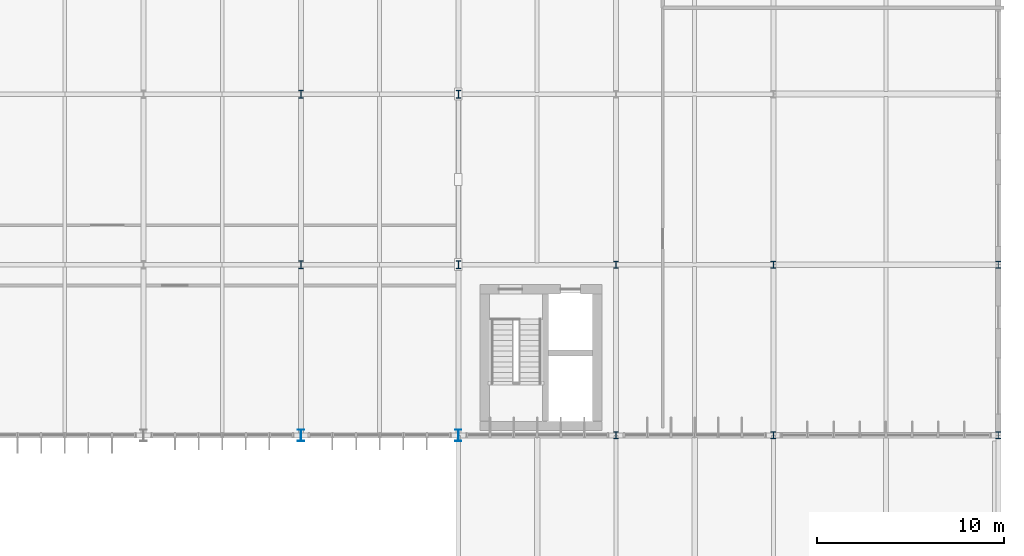
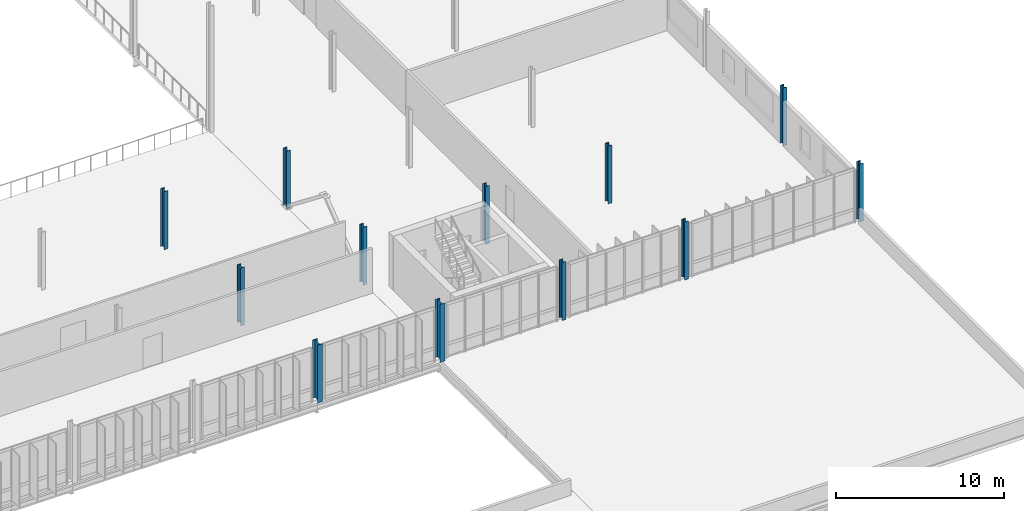
# One storey, part 10 of 107: 12 columns.
"""IFC4 building model written with IfcOpenShell, lengths in metres."""

from ifc_helpers import new_model, si_unit, derived_unit, direction, frame, origin, origin_2d, place, context, subcontext, project, spatial, i_section, extrude, material, material_profile, profile_set, type_object, element, save


model = new_model("IFC4")

# Units and contexts
model_context = context("Model", 3, precision=1e-05, world=origin(), true_north=direction((0.0, 1.0)))
body_context = subcontext(model_context, "Body", "Model", "MODEL_VIEW")
ifc_project = project(units=[si_unit("LENGTHUNIT", "METRE"), si_unit("AREAUNIT", "SQUARE_METRE"), si_unit("VOLUMEUNIT", "CUBIC_METRE"), si_unit("PLANEANGLEUNIT", "RADIAN"), si_unit("MASSUNIT", "GRAM", prefix="KILO"), derived_unit("THERMALTRANSMITTANCEUNIT", [(si_unit("MASSUNIT", "GRAM", prefix="KILO"), 1), (si_unit("TIMEUNIT", "SECOND"), -3), (si_unit("THERMODYNAMICTEMPERATUREUNIT", "KELVIN"), -1)])], contexts=[model_context])

# Site, building, storey
site_placement = place(None, origin())
site = spatial("IfcSite", under=ifc_project, at=site_placement, CompositionType="ELEMENT")
building_placement = place(site_placement, origin())
building = spatial("IfcBuilding", under=site, at=building_placement, Name="Makaiwela Harbour Ferry Terminal", CompositionType="ELEMENT")
storey_placement = place(building_placement, frame((0.0, 0.0, 9.60009765625)))
storey = spatial("IfcBuildingStorey", under=building, at=storey_placement, Name="L02", CompositionType="ELEMENT", Elevation=9.60009765625)

# Columns
ifc_material = material(Name="Steel ASTM A992 Grade 50", Category="steel")
ifc_material_profile_1 = material_profile(ifc_material, i_section(OverallWidth=0.257080078125, OverallDepth=0.363037109375, WebThickness=0.012939453125, FlangeThickness=0.021728515625, at=origin_2d()), Name="W14X82")
ifc_profile_set_1 = profile_set([ifc_material_profile_1], Name="Steel ASTM A992 Grade 50")
column_type_1 = type_object("IfcColumnType", Name="STR-COL-W14X82", PredefinedType="COLUMN", material=ifc_profile_set_1)
for number, where, z_axis, x_axis, name in (
    (1, (147.0, 49.39990234375, 0.0), (0.0, 0.0, 1.0), (1.0, 0.0, 0.0), "Structural Column C-05"),
    (2, (147.0, 58.5, 0.0), (0.0, 0.0, 1.0), (1.0, 0.0, 0.0), "Structural Column C-05"),
    (3, (155.39990234375, 49.39990234375, 0.0), (0.0, 0.0, 1.0), (1.0, 0.0, 0.0), "Structural Column C-05"),
    (4, (155.39990234375, 58.5, 0.0), (0.0, 0.0, 1.0), (1.0, 0.0, 0.0), "Structural Column C-05"),
    (5, (167.39990234375, 49.39990234375, 0.0), (0.0, 0.0, 1.0), (1.0, 0.0, 0.0), "Structural Column C-05"),
    (6, (167.39990234375, 58.5, 0.0), (0.0, 0.0, 1.0), (1.0, 0.0, 0.0), "Structural Column C-05"),
):
    element("IfcColumn", number, at=place(storey_placement, frame(where, z_axis=z_axis, x_axis=x_axis)), inside=storey, type_object=column_type_1, Name=name, PredefinedType="COLUMN", context=body_context, shape_type="SweptSolid", body=[
        extrude(i_section(OverallWidth=0.257080078125, OverallDepth=0.363037109375, WebThickness=0.012939453125, FlangeThickness=0.021728515625, at=origin_2d()), origin(), (0.0, 0.0, 1.0), 4.199951171875),
    ])
ifc_material_profile_2 = material_profile(ifc_material, i_section(OverallWidth=0.260986328125, OverallDepth=0.4189453125, WebThickness=0.01171875, FlangeThickness=0.019287109375, at=origin_2d()), Name="W16X77")
ifc_profile_set_2 = profile_set([ifc_material_profile_2], Name="Steel ASTM A992 Grade 50")
column_type_2 = type_object("IfcColumnType", Name="STR-COL-W16X77", PredefinedType="COLUMN", material=ifc_profile_set_2)
for number, where, z_axis, x_axis, name in (
    (7, (130.199951171875, 58.5, 0.0), (0.0, 0.0, 1.0), (1.0, 0.0, 0.0), "Structural Column C-04"),
    (8, (130.199951171875, 67.60009765625, 0.0), (0.0, 0.0, 1.0), (1.0, 0.0, 0.0), "Structural Column C-04"),
    (9, (138.60009765625, 58.5, 0.0), (0.0, 0.0, 1.0), (1.0, 0.0, 0.0), "Structural Column C-04"),
    (10, (138.60009765625, 67.60009765625, 0.0), (0.0, 0.0, 1.0), (1.0, 0.0, 0.0), "Structural Column C-04"),
):
    element("IfcColumn", number, at=place(storey_placement, frame(where, z_axis=z_axis, x_axis=x_axis)), inside=storey, type_object=column_type_2, Name=name, PredefinedType="COLUMN", context=body_context, shape_type="SweptSolid", body=[
        extrude(i_section(OverallWidth=0.260986328125, OverallDepth=0.4189453125, WebThickness=0.01171875, FlangeThickness=0.019287109375, at=origin_2d()), origin(), (0.0, 0.0, 1.0), 4.199951171875),
    ])
ifc_material_profile_3 = material_profile(ifc_material, i_section(OverallWidth=0.324951171875, OverallDepth=0.615966796875, WebThickness=0.013916015625, FlangeThickness=0.021484375, at=origin_2d()), Name="W24X117")
ifc_profile_set_3 = profile_set([ifc_material_profile_3], Name="Steel ASTM A992 Grade 50")
column_type_3 = type_object("IfcColumnType", Name="STR-COL-W24X117", PredefinedType="COLUMN", material=ifc_profile_set_3)
for number, where, z_axis, x_axis, name in (
    (11, (130.199951171875, 49.39990234375, 0.0), (0.0, 0.0, 1.0), (1.0, 0.0, 0.0), "Structural Column C-02"),
    (12, (138.60009765625, 49.39990234375, 0.0), (0.0, 0.0, 1.0), (1.0, 0.0, 0.0), "Structural Column C-02"),
):
    element("IfcColumn", number, at=place(storey_placement, frame(where, z_axis=z_axis, x_axis=x_axis)), inside=storey, type_object=column_type_3, Name=name, PredefinedType="COLUMN", context=body_context, shape_type="SweptSolid", body=[
        extrude(i_section(OverallWidth=0.324951171875, OverallDepth=0.615966796875, WebThickness=0.013916015625, FlangeThickness=0.021484375, at=origin_2d()), origin(), (0.0, 0.0, 1.0), 4.199951171875),
    ])

save(model, "model.ifc")
